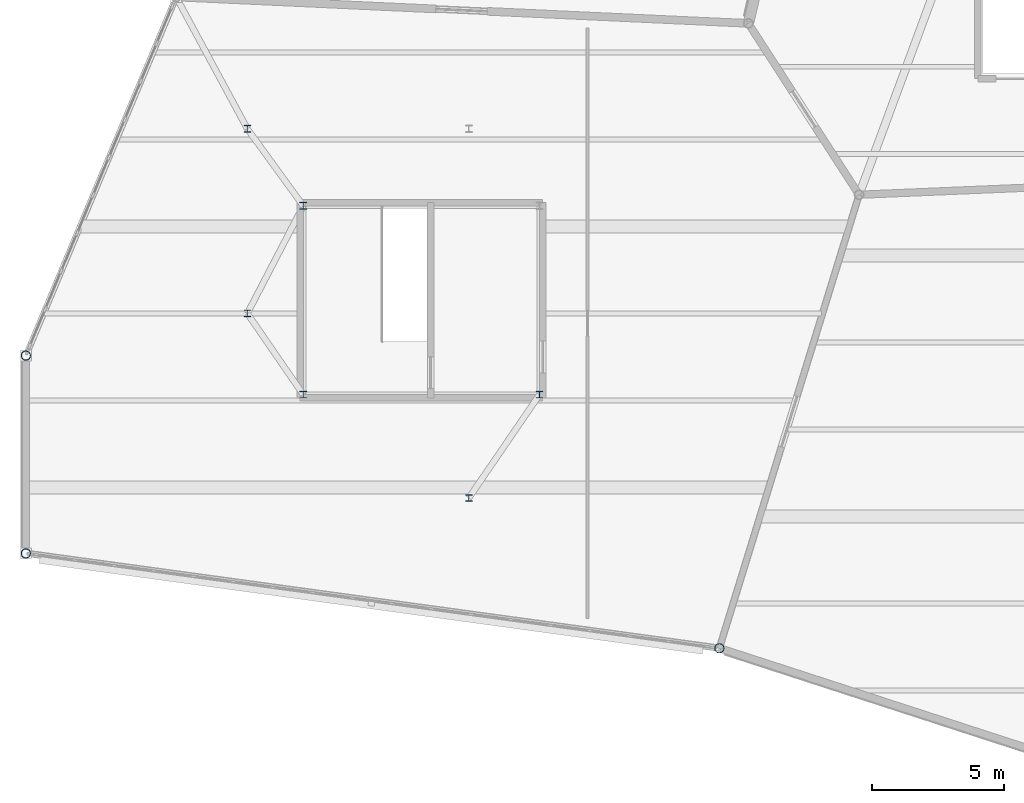
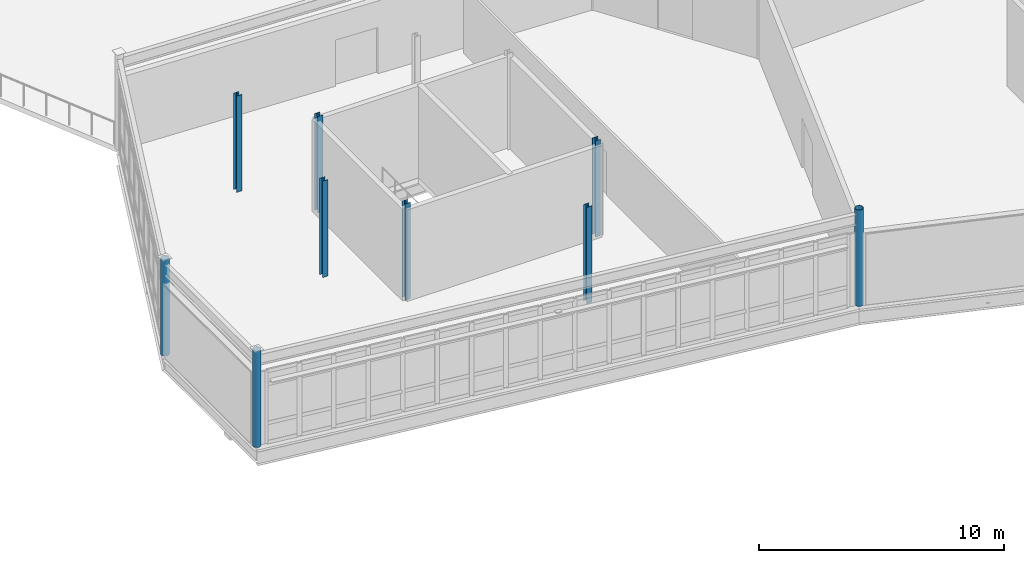
# One storey, part 9 of 114: 9 columns.
"""IFC4 building model written with IfcOpenShell, lengths in metres."""

from ifc_helpers import new_model, si_unit, direction, frame, origin, origin_2d, place, context, subcontext, project, spatial, hollow_circle, i_section, extrude, material, material_profile, profile_set, type_object, element, save


model = new_model("IFC4")

# Units and contexts
model_context = context("Model", 3, precision=1e-05, world=origin(), true_north=direction((0.0, 1.0)))
body_context = subcontext(model_context, "Body", "Model", "MODEL_VIEW")
ifc_project = project(units=[si_unit("LENGTHUNIT", "METRE"), si_unit("AREAUNIT", "SQUARE_METRE"), si_unit("VOLUMEUNIT", "CUBIC_METRE"), si_unit("PLANEANGLEUNIT", "RADIAN"), si_unit("MASSUNIT", "GRAM", prefix="KILO")], contexts=[model_context])

# Site, building, storey
site_placement = place(None, origin())
site = spatial("IfcSite", under=ifc_project, at=site_placement, CompositionType="ELEMENT")
building_placement = place(site_placement, origin())
building = spatial("IfcBuilding", under=site, at=building_placement, Name="Tameran Prism Museum", CompositionType="ELEMENT")
storey_placement = place(building_placement, frame((0.0, 0.0, 10.199951171875)))
storey = spatial("IfcBuildingStorey", under=building, at=storey_placement, Name="L02", CompositionType="ELEMENT", Elevation=10.199951171875)

# Columns
ifc_material_1 = material(Name="Steel Grade C350L0 (350 MPa)", Category="steel")
ifc_material_profile_1 = material_profile(ifc_material_1, hollow_circle(Radius=0.177734375, WallThickness=0.0126953125, at=origin_2d()))
ifc_profile_set_1 = profile_set([ifc_material_profile_1])
column_type_1 = type_object("IfcColumnType", Name="COL-CHS355", PredefinedType="COLUMN", material=ifc_profile_set_1)
for number, where, z_axis, x_axis, name in (
    (1, (0.0, 67.89990234375, 0.0), (0.0, 0.0, 1.0), (1.0, 0.0, 0.0), "Column CV-05 L02"),
    (2, (0.0, 75.39990234375, 0.0), (0.0, 0.0, 1.0), (1.0, 0.0, 0.0), "Column CV-06 L02"),
    (3, (26.300048828125, 64.300048828125, 0.0), (0.0, 0.0, 1.0), (1.0, 0.0, 0.0), "Column CV-16 L02"),
):
    element("IfcColumn", number, at=place(storey_placement, frame(where, z_axis=z_axis, x_axis=x_axis)), inside=storey, type_object=column_type_1, Name=name, PredefinedType="COLUMN", context=body_context, shape_type="SweptSolid", body=[
        extrude(hollow_circle(Radius=0.177734375, WallThickness=0.0126953125, at=origin_2d()), origin(), (0.0, 0.0, 1.0), 4.800048828125),
    ])
ifc_material_2 = material(Name="Steel Grade 300PLUS (300 MPa)", Category="steel")
ifc_material_profile_2 = material_profile(ifc_material_2, i_section(OverallWidth=0.25390625, OverallDepth=0.25390625, WebThickness=0.008544921875, FlangeThickness=0.01416015625, FilletRadius=0.0126953125, at=origin_2d()))
ifc_profile_set_2 = profile_set([ifc_material_profile_2])
column_type_2 = type_object("IfcColumnType", Name="COL-UC250B", PredefinedType="COLUMN", material=ifc_profile_set_2)
for number, where, z_axis, x_axis, name in (
    (4, (8.39990234375, 77.0, 0.0), (0.0, 0.0, 1.0), (1.0, 0.0, 0.0), "Column CI-05 L02"),
    (5, (8.39990234375, 84.0, 0.0), (0.0, 0.0, 1.0), (1.0, 0.0, 0.0), "Column CI-06 L02"),
    (6, (16.800048828125, 70.0, 0.0), (0.0, 0.0, 1.0), (1.0, 0.0, 0.0), "Column CI-07 L02"),
    (7, (10.52001953125, 73.919921875, 0.0), (0.0, 0.0, 1.0), (1.0, 0.0, 0.0), "Column CC-9-1 L02"),
    (8, (19.47998046875, 73.919921875, 0.0), (0.0, 0.0, 1.0), (1.0, 0.0, 0.0), "Column CC-9-2 L02"),
    (9, (10.52001953125, 81.080078125, 0.0), (0.0, 0.0, 1.0), (1.0, 0.0, 0.0), "Column CC-9-4 L02"),
):
    element("IfcColumn", number, at=place(storey_placement, frame(where, z_axis=z_axis, x_axis=x_axis)), inside=storey, type_object=column_type_2, Name=name, PredefinedType="COLUMN", context=body_context, shape_type="SweptSolid", body=[
        extrude(i_section(OverallWidth=0.25390625, OverallDepth=0.25390625, WebThickness=0.008544921875, FlangeThickness=0.01416015625, FilletRadius=0.0126953125, at=origin_2d()), origin(), (0.0, 0.0, 1.0), 4.800048828125),
    ])

save(model, "model.ifc")
